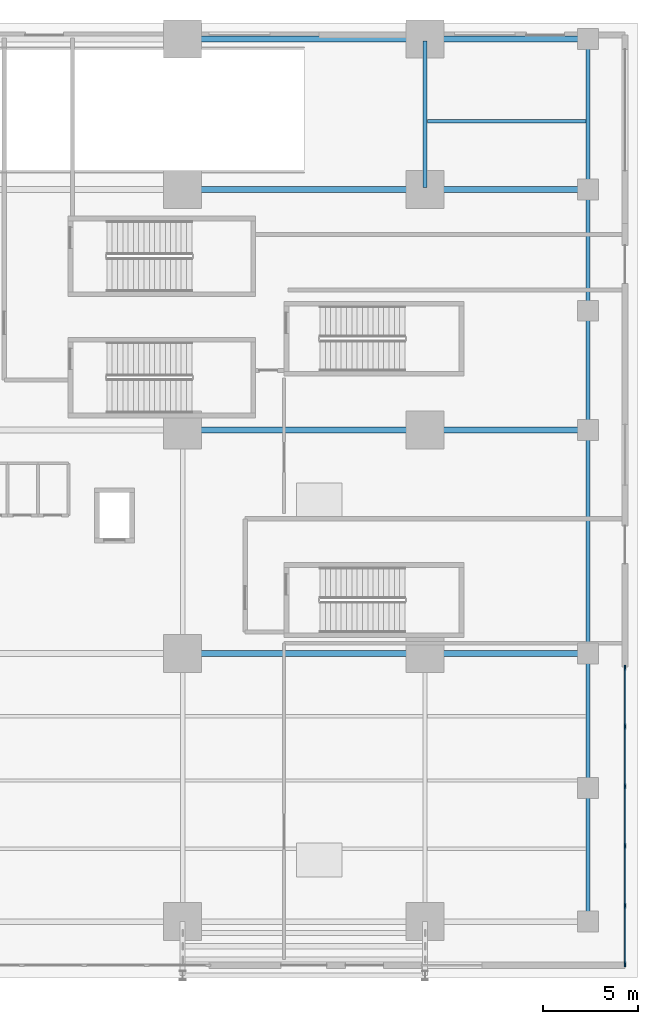
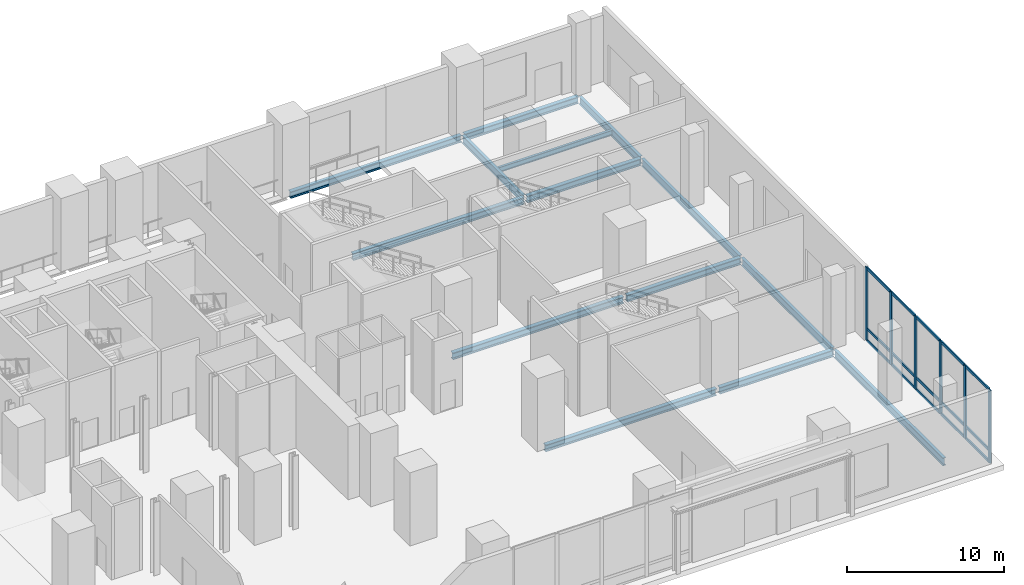
# One storey, part 8 of 25: 21 members, 14 beams, 1 element without a shape of its own.
"""IFC4 building model written with IfcOpenShell, lengths in metres."""

from ifc_helpers import new_model, si_unit, direction, frame, origin, origin_2d, place, context, subcontext, project, spatial, rectangle, i_section, extrude, source, transform, mapped, material, material_profile, profile_set, type_object, element, aggregate, save


model = new_model("IFC4")

# Units and contexts
model_context = context("Model", 3, precision=1e-05, world=origin(), true_north=direction((0.0, 1.0)))
body_context = subcontext(model_context, "Body", "Model", "MODEL_VIEW")
ifc_project = project(units=[si_unit("LENGTHUNIT", "METRE"), si_unit("AREAUNIT", "SQUARE_METRE"), si_unit("VOLUMEUNIT", "CUBIC_METRE"), si_unit("PLANEANGLEUNIT", "RADIAN"), si_unit("MASSUNIT", "GRAM", prefix="KILO")], contexts=[model_context])

# Site, building, storey
site_placement = place(None, origin())
site = spatial("IfcSite", under=ifc_project, at=site_placement, CompositionType="ELEMENT")
building_placement = place(site_placement, origin())
building = spatial("IfcBuilding", under=site, at=building_placement, Name="Vardaveli Station Tower", CompositionType="ELEMENT")
storey_placement = place(building_placement, origin())
storey = spatial("IfcBuildingStorey", under=building, at=storey_placement, Name="L01", CompositionType="ELEMENT", Elevation=0.0)

# Beams
ifc_material_1 = material(Name="Structural steel S355J2", Category="steel")
ifc_material_profile_1 = material_profile(ifc_material_1, i_section(OverallWidth=0.305908203125, OverallDepth=0.52392578125, WebThickness=0.02099609375, FlangeThickness=0.0400390625, FilletRadius=0.027099609375, at=origin_2d()), Name="HEM 500")
ifc_profile_set_1 = profile_set([ifc_material_profile_1], Name="Structural steel S355J2")
beam_type_1 = type_object("IfcBeamType", Name="BM-HEM500", PredefinedType="BEAM", material=ifc_profile_set_1)
shared_shape_1 = source(origin(), body_context, "Body", "SweptSolid", [
    extrude(i_section(OverallWidth=0.305908203125, OverallDepth=0.52392578125, WebThickness=0.02099609375, FlangeThickness=0.0400390625, FilletRadius=0.027099609375, at=origin_2d()), origin(), (0.0, 0.0, 1.0), 12.559814453125),
])
for number, where, z_axis, x_axis, name in (
    (1, (60.1201171875, 17.10009765625, -0.662109375), (1.0, 0.0, 0.0), (0.0, 1.0, 0.0), "PBM-L01-EW1-6"),
    (2, (60.1201171875, 28.89990234375, -0.662109375), (1.0, 0.0, 0.0), (0.0, 1.0, 0.0), "PBM-L01-EWE2-1"),
    (3, (60.1201171875, 41.60009765625, -0.662109375), (1.0, 0.0, 0.0), (0.0, 1.0, 0.0), "PBM-L01-EW3-7"),
    (4, (60.1201171875, 49.550048828125, -0.662109375), (1.0, 0.0, 0.0), (0.0, 1.0, 0.0), "PBM-L01-EW4-6"),
):
    element("IfcBeam", number, at=place(storey_placement, frame(where, z_axis=z_axis, x_axis=x_axis)), inside=storey, type_object=beam_type_1, Name=name, PredefinedType="BEAM", context=body_context, shape_type="MappedRepresentation", body=[
        mapped(shared_shape_1, transform((0.0, 0.0, 0.0), scale=1.0)),
    ])
ifc_material_profile_2 = material_profile(ifc_material_1, i_section(OverallWidth=0.219970703125, OverallDepth=0.60009765625, WebThickness=0.011962890625, FlangeThickness=0.01904296875, FilletRadius=0.02392578125, at=origin_2d()), Name="IPE 600")
ifc_profile_set_2 = profile_set([ifc_material_profile_2], Name="Structural steel S355J2")
beam_type_2 = type_object("IfcBeamType", Name="BM-IPE600", PredefinedType="BEAM", material=ifc_profile_set_2)
shared_shape_2 = source(origin(), body_context, "Body", "SweptSolid", [
    extrude(i_section(OverallWidth=0.219970703125, OverallDepth=0.60009765625, WebThickness=0.011962890625, FlangeThickness=0.01904296875, FilletRadius=0.02392578125, at=origin_2d()), origin(), (0.0, 0.0, 1.0), 13.909912109375),
])
beam_1_placement = place(storey_placement, frame((81.39990234375, 3.070068359375, -0.699951171875), z_axis=(0.0, 1.0, 0.0), x_axis=(-1.0, 0.0, 0.0)))
element("IfcBeam", 5, at=beam_1_placement, inside=storey, type_object=beam_type_2, Name="PBM-L01-NS5-0", PredefinedType="BEAM", context=body_context, shape_type="MappedRepresentation", body=[
    mapped(shared_shape_2, transform((0.0, 0.0, 0.0), scale=1.0)),
])
shared_shape_3 = source(origin(), body_context, "Body", "SweptSolid", [
    extrude(i_section(OverallWidth=0.219970703125, OverallDepth=0.60009765625, WebThickness=0.011962890625, FlangeThickness=0.01904296875, FilletRadius=0.02392578125, at=origin_2d()), origin(), (0.0, 0.0, 1.0), 11.56005859375),
])
beam_2_placement = place(storey_placement, frame((81.39990234375, 17.219970703125, -0.699951171875), z_axis=(0.0, 1.0, 0.0), x_axis=(-1.0, 0.0, 0.0)))
element("IfcBeam", 6, at=beam_2_placement, inside=storey, type_object=beam_type_2, Name="PBM-L01-NS5-1", PredefinedType="BEAM", context=body_context, shape_type="MappedRepresentation", body=[
    mapped(shared_shape_3, transform((0.0, 0.0, 0.0), scale=1.0)),
])
shared_shape_4 = source(origin(), body_context, "Body", "SweptSolid", [
    extrude(i_section(OverallWidth=0.219970703125, OverallDepth=0.60009765625, WebThickness=0.011962890625, FlangeThickness=0.01904296875, FilletRadius=0.02392578125, at=origin_2d()), origin(), (0.0, 0.0, 1.0), 12.4599609375),
])
beam_3_placement = place(storey_placement, frame((81.39990234375, 29.02001953125, -0.699951171875), z_axis=(0.0, 1.0, 0.0), x_axis=(-1.0, 0.0, 0.0)))
element("IfcBeam", 7, at=beam_3_placement, inside=storey, type_object=beam_type_2, Name="PBM-L01-NS5-2", PredefinedType="BEAM", context=body_context, shape_type="MappedRepresentation", body=[
    mapped(shared_shape_4, transform((0.0, 0.0, 0.0), scale=1.0)),
])
shared_shape_5 = source(origin(), body_context, "Body", "SweptSolid", [
    extrude(i_section(OverallWidth=0.219970703125, OverallDepth=0.60009765625, WebThickness=0.011962890625, FlangeThickness=0.01904296875, FilletRadius=0.02392578125, at=origin_2d()), origin(), (0.0, 0.0, 1.0), 7.7099609375),
])
for number, where, z_axis, x_axis, name in (
    (8, (72.800048828125, 41.719970703125, -0.699951171875), (0.0, 1.0, 0.0), (-1.0, 0.0, 0.0), "PBM-L01-NS4-3"),
    (9, (81.39990234375, 41.719970703125, -0.699951171875), (0.0, 1.0, 0.0), (-1.0, 0.0, 0.0), "PBM-L01-NS5-3"),
):
    element("IfcBeam", number, at=place(storey_placement, frame(where, z_axis=z_axis, x_axis=x_axis)), inside=storey, type_object=beam_type_2, Name=name, PredefinedType="BEAM", context=body_context, shape_type="MappedRepresentation", body=[
        mapped(shared_shape_5, transform((0.0, 0.0, 0.0), scale=1.0)),
    ])
shared_shape_6 = source(origin(), body_context, "Body", "SweptSolid", [
    extrude(i_section(OverallWidth=0.305908203125, OverallDepth=0.52392578125, WebThickness=0.02099609375, FlangeThickness=0.0400390625, FilletRadius=0.027099609375, at=origin_2d()), origin(), (0.0, 0.0, 1.0), 8.360107421875),
])
for number, where, z_axis, x_axis, name in (
    (10, (72.919921875, 17.10009765625, -0.662109375), (1.0, 0.0, 0.0), (0.0, 1.0, 0.0), "PBM-L01-EW1-7"),
    (11, (72.919921875, 28.89990234375, -0.662109375), (1.0, 0.0, 0.0), (0.0, 1.0, 0.0), "PBM-L01-EWE2-2"),
    (12, (72.919921875, 41.60009765625, -0.662109375), (1.0, 0.0, 0.0), (0.0, 1.0, 0.0), "PBM-L01-EW3-8"),
    (13, (72.919921875, 49.550048828125, -0.662109375), (1.0, 0.0, 0.0), (0.0, 1.0, 0.0), "PBM-L01-EW4-7"),
):
    element("IfcBeam", number, at=place(storey_placement, frame(where, z_axis=z_axis, x_axis=x_axis)), inside=storey, type_object=beam_type_1, Name=name, PredefinedType="BEAM", context=body_context, shape_type="MappedRepresentation", body=[
        mapped(shared_shape_6, transform((0.0, 0.0, 0.0), scale=1.0)),
    ])
ifc_material_profile_3 = material_profile(ifc_material_1, i_section(OverallWidth=0.179931640625, OverallDepth=0.39990234375, WebThickness=0.008544921875, FlangeThickness=0.013427734375, FilletRadius=0.02099609375, at=origin_2d()), Name="IPE 400")
ifc_profile_set_3 = profile_set([ifc_material_profile_3], Name="Structural steel S355J2")
beam_type_3 = type_object("IfcBeamType", Name="BM-IPE400", PredefinedType="JOIST", material=ifc_profile_set_3)
shared_shape_7 = source(origin(), body_context, "Body", "SweptSolid", [
    extrude(i_section(OverallWidth=0.179931640625, OverallDepth=0.39990234375, WebThickness=0.008544921875, FlangeThickness=0.013427734375, FilletRadius=0.02099609375, at=origin_2d()), origin(), (0.0, 0.0, 1.0), 8.3759765625),
])
beam_4_placement = place(storey_placement, frame((72.912109375, 45.199951171875, -0.60009765625), z_axis=(1.0, 0.0, 0.0), x_axis=(0.0, 1.0, 0.0)))
element("IfcBeam", 14, at=beam_4_placement, inside=storey, type_object=beam_type_3, Name="PJ-L01-4-4", PredefinedType="JOIST", context=body_context, shape_type="MappedRepresentation", body=[
    mapped(shared_shape_7, transform((0.0, 0.0, 0.0), scale=1.0)),
])

# Curtain wall, members
ifc_material_2 = material(Name="Travertine stone and solar-control glass", Category="masonry")
curtain_wall_type = type_object("IfcCurtainWallType", Name="CW-SYS-1", PredefinedType="NOTDEFINED", material=ifc_material_2)
curtain_wall_placement = place(storey_placement, origin())
curtain_wall = element("IfcCurtainWall", 15, at=curtain_wall_placement, inside=storey, type_object=curtain_wall_type, Name="CW-L01-E1", PredefinedType="NOTDEFINED")
ifc_material_3 = material(Name="Anodised aluminium alloy 6063-T6", Category="aluminium")
ifc_material_profile_4 = material_profile(ifc_material_3, rectangle(XDim=0.094970703125, YDim=0.27001953125, at=origin_2d()), Name="CWM 95x270")
ifc_profile_set_4 = profile_set([ifc_material_profile_4], Name="Anodised aluminium alloy 6063-T6")
member_type_1 = type_object("IfcMemberType", Name="CW-SYS-1-MULL", PredefinedType="MULLION", material=ifc_profile_set_4)
shared_shape_8 = source(origin(), body_context, "Body", "SweptSolid", [
    extrude(rectangle(XDim=0.094970703125, YDim=0.27001953125, at=origin_2d()), origin(), (0.0, 0.0, 1.0), 5.679931640625),
])
member_1_placement = place(storey_placement, frame((83.35009765625, 0.697509765625, 0.0), z_axis=(0.0, 0.0, 1.0), x_axis=(-1.0, 0.0, 0.0)))
member_1 = element("IfcMember", 16, at=member_1_placement, type_object=member_type_1, Name="CW-1 mullion 1", PredefinedType="MULLION", context=body_context, shape_type="MappedRepresentation", body=[
    mapped(shared_shape_8, transform((0.0, 0.0, 0.0), scale=1.0)),
])
member_2_placement = place(storey_placement, frame((83.35009765625, 3.800048828125, 0.0), z_axis=(0.0, 0.0, 1.0), x_axis=(-1.0, 0.0, 0.0)))
member_2 = element("IfcMember", 17, at=member_2_placement, type_object=member_type_1, Name="CW-1 mullion 2", PredefinedType="MULLION", context=body_context, shape_type="MappedRepresentation", body=[
    mapped(shared_shape_8, transform((0.0, 0.0, 0.0), scale=1.0)),
])
member_3_placement = place(storey_placement, frame((83.35009765625, 6.949951171875, 0.0), z_axis=(0.0, 0.0, 1.0), x_axis=(-1.0, 0.0, 0.0)))
member_3 = element("IfcMember", 18, at=member_3_placement, type_object=member_type_1, Name="CW-1 mullion 3", PredefinedType="MULLION", context=body_context, shape_type="MappedRepresentation", body=[
    mapped(shared_shape_8, transform((0.0, 0.0, 0.0), scale=1.0)),
])
member_4_placement = place(storey_placement, frame((83.35009765625, 10.10009765625, 0.0), z_axis=(0.0, 0.0, 1.0), x_axis=(-1.0, 0.0, 0.0)))
member_4 = element("IfcMember", 19, at=member_4_placement, type_object=member_type_1, Name="CW-1 mullion 4", PredefinedType="MULLION", context=body_context, shape_type="MappedRepresentation", body=[
    mapped(shared_shape_8, transform((0.0, 0.0, 0.0), scale=1.0)),
])
member_5_placement = place(storey_placement, frame((83.35009765625, 13.25, 0.0), z_axis=(0.0, 0.0, 1.0), x_axis=(-1.0, 0.0, 0.0)))
member_5 = element("IfcMember", 20, at=member_5_placement, type_object=member_type_1, Name="CW-1 mullion 5", PredefinedType="MULLION", context=body_context, shape_type="MappedRepresentation", body=[
    mapped(shared_shape_8, transform((0.0, 0.0, 0.0), scale=1.0)),
])
member_6_placement = place(storey_placement, frame((83.35009765625, 16.3525390625, 0.0), z_axis=(0.0, 0.0, 1.0), x_axis=(-1.0, 0.0, 0.0)))
member_6 = element("IfcMember", 21, at=member_6_placement, type_object=member_type_1, Name="CW-1 mullion 6", PredefinedType="MULLION", context=body_context, shape_type="MappedRepresentation", body=[
    mapped(shared_shape_8, transform((0.0, 0.0, 0.0), scale=1.0)),
])
ifc_material_profile_5 = material_profile(ifc_material_3, rectangle(XDim=0.094970703125, YDim=0.2099609375, at=origin_2d()), Name="CWT 95x210")
ifc_profile_set_5 = profile_set([ifc_material_profile_5], Name="Anodised aluminium alloy 6063-T6")
member_type_2 = type_object("IfcMemberType", Name="CW-SYS-1-TRAN", PredefinedType="NOTDEFINED", material=ifc_profile_set_5)
shared_shape_9 = source(origin(), body_context, "Body", "SweptSolid", [
    extrude(rectangle(XDim=0.094970703125, YDim=0.2099609375, at=origin_2d()), origin(), (0.0, 0.0, 1.0), 3.00732421875),
])
member_7_placement = place(storey_placement, frame((83.35009765625, 0.7451171875, 0.047607421875), z_axis=(0.0, 1.0, 0.0), x_axis=(-1.0, 0.0, 0.0)))
member_7 = element("IfcMember", 22, at=member_7_placement, type_object=member_type_2, Name="CW-1 transom 1.1", ObjectType="TRANSOM", PredefinedType="USERDEFINED", context=body_context, shape_type="MappedRepresentation", body=[
    mapped(shared_shape_9, transform((0.0, 0.0, 0.0), scale=1.0)),
])
member_8_placement = place(storey_placement, frame((83.35009765625, 0.7451171875, 0.949951171875), z_axis=(0.0, 1.0, 0.0), x_axis=(-1.0, 0.0, 0.0)))
member_8 = element("IfcMember", 23, at=member_8_placement, type_object=member_type_2, Name="CW-1 transom 1.2", ObjectType="TRANSOM", PredefinedType="USERDEFINED", context=body_context, shape_type="MappedRepresentation", body=[
    mapped(shared_shape_9, transform((0.0, 0.0, 0.0), scale=1.0)),
])
member_9_placement = place(storey_placement, frame((83.35009765625, 0.7451171875, 5.632568359375), z_axis=(0.0, 1.0, 0.0), x_axis=(-1.0, 0.0, 0.0)))
member_9 = element("IfcMember", 24, at=member_9_placement, type_object=member_type_2, Name="CW-1 transom 1.3", ObjectType="TRANSOM", PredefinedType="USERDEFINED", context=body_context, shape_type="MappedRepresentation", body=[
    mapped(shared_shape_9, transform((0.0, 0.0, 0.0), scale=1.0)),
])
member_10_placement = place(storey_placement, frame((83.35009765625, 13.297607421875, 0.047607421875), z_axis=(0.0, 1.0, 0.0), x_axis=(-1.0, 0.0, 0.0)))
member_10 = element("IfcMember", 25, at=member_10_placement, type_object=member_type_2, Name="CW-1 transom 5.1", ObjectType="TRANSOM", PredefinedType="USERDEFINED", context=body_context, shape_type="MappedRepresentation", body=[
    mapped(shared_shape_9, transform((0.0, 0.0, 0.0), scale=1.0)),
])
member_11_placement = place(storey_placement, frame((83.35009765625, 13.297607421875, 0.949951171875), z_axis=(0.0, 1.0, 0.0), x_axis=(-1.0, 0.0, 0.0)))
member_11 = element("IfcMember", 26, at=member_11_placement, type_object=member_type_2, Name="CW-1 transom 5.2", ObjectType="TRANSOM", PredefinedType="USERDEFINED", context=body_context, shape_type="MappedRepresentation", body=[
    mapped(shared_shape_9, transform((0.0, 0.0, 0.0), scale=1.0)),
])
member_12_placement = place(storey_placement, frame((83.35009765625, 13.297607421875, 5.632568359375), z_axis=(0.0, 1.0, 0.0), x_axis=(-1.0, 0.0, 0.0)))
member_12 = element("IfcMember", 27, at=member_12_placement, type_object=member_type_2, Name="CW-1 transom 5.3", ObjectType="TRANSOM", PredefinedType="USERDEFINED", context=body_context, shape_type="MappedRepresentation", body=[
    mapped(shared_shape_9, transform((0.0, 0.0, 0.0), scale=1.0)),
])
shared_shape_10 = source(origin(), body_context, "Body", "SweptSolid", [
    extrude(rectangle(XDim=0.094970703125, YDim=0.2099609375, at=origin_2d()), origin(), (0.0, 0.0, 1.0), 3.05517578125),
])
member_13_placement = place(storey_placement, frame((83.35009765625, 3.847412109375, 0.047607421875), z_axis=(0.0, 1.0, 0.0), x_axis=(-1.0, 0.0, 0.0)))
member_13 = element("IfcMember", 28, at=member_13_placement, type_object=member_type_2, Name="CW-1 transom 2.1", ObjectType="TRANSOM", PredefinedType="USERDEFINED", context=body_context, shape_type="MappedRepresentation", body=[
    mapped(shared_shape_10, transform((0.0, 0.0, 0.0), scale=1.0)),
])
member_14_placement = place(storey_placement, frame((83.35009765625, 3.847412109375, 0.949951171875), z_axis=(0.0, 1.0, 0.0), x_axis=(-1.0, 0.0, 0.0)))
member_14 = element("IfcMember", 29, at=member_14_placement, type_object=member_type_2, Name="CW-1 transom 2.2", ObjectType="TRANSOM", PredefinedType="USERDEFINED", context=body_context, shape_type="MappedRepresentation", body=[
    mapped(shared_shape_10, transform((0.0, 0.0, 0.0), scale=1.0)),
])
member_15_placement = place(storey_placement, frame((83.35009765625, 3.847412109375, 5.632568359375), z_axis=(0.0, 1.0, 0.0), x_axis=(-1.0, 0.0, 0.0)))
member_15 = element("IfcMember", 30, at=member_15_placement, type_object=member_type_2, Name="CW-1 transom 2.3", ObjectType="TRANSOM", PredefinedType="USERDEFINED", context=body_context, shape_type="MappedRepresentation", body=[
    mapped(shared_shape_10, transform((0.0, 0.0, 0.0), scale=1.0)),
])
shared_shape_11 = source(origin(), body_context, "Body", "SweptSolid", [
    extrude(rectangle(XDim=0.094970703125, YDim=0.2099609375, at=origin_2d()), origin(), (0.0, 0.0, 1.0), 3.054931640625),
])
member_16_placement = place(storey_placement, frame((83.35009765625, 6.99755859375, 0.047607421875), z_axis=(0.0, 1.0, 0.0), x_axis=(-1.0, 0.0, 0.0)))
member_16 = element("IfcMember", 31, at=member_16_placement, type_object=member_type_2, Name="CW-1 transom 3.1", ObjectType="TRANSOM", PredefinedType="USERDEFINED", context=body_context, shape_type="MappedRepresentation", body=[
    mapped(shared_shape_11, transform((0.0, 0.0, 0.0), scale=1.0)),
])
member_17_placement = place(storey_placement, frame((83.35009765625, 6.99755859375, 0.949951171875), z_axis=(0.0, 1.0, 0.0), x_axis=(-1.0, 0.0, 0.0)))
member_17 = element("IfcMember", 32, at=member_17_placement, type_object=member_type_2, Name="CW-1 transom 3.2", ObjectType="TRANSOM", PredefinedType="USERDEFINED", context=body_context, shape_type="MappedRepresentation", body=[
    mapped(shared_shape_11, transform((0.0, 0.0, 0.0), scale=1.0)),
])
member_18_placement = place(storey_placement, frame((83.35009765625, 6.99755859375, 5.632568359375), z_axis=(0.0, 1.0, 0.0), x_axis=(-1.0, 0.0, 0.0)))
member_18 = element("IfcMember", 33, at=member_18_placement, type_object=member_type_2, Name="CW-1 transom 3.3", ObjectType="TRANSOM", PredefinedType="USERDEFINED", context=body_context, shape_type="MappedRepresentation", body=[
    mapped(shared_shape_11, transform((0.0, 0.0, 0.0), scale=1.0)),
])
member_19_placement = place(storey_placement, frame((83.35009765625, 10.1474609375, 0.047607421875), z_axis=(0.0, 1.0, 0.0), x_axis=(-1.0, 0.0, 0.0)))
member_19 = element("IfcMember", 34, at=member_19_placement, type_object=member_type_2, Name="CW-1 transom 4.1", ObjectType="TRANSOM", PredefinedType="USERDEFINED", context=body_context, shape_type="MappedRepresentation", body=[
    mapped(shared_shape_11, transform((0.0, 0.0, 0.0), scale=1.0)),
])
member_20_placement = place(storey_placement, frame((83.35009765625, 10.1474609375, 0.949951171875), z_axis=(0.0, 1.0, 0.0), x_axis=(-1.0, 0.0, 0.0)))
member_20 = element("IfcMember", 35, at=member_20_placement, type_object=member_type_2, Name="CW-1 transom 4.2", ObjectType="TRANSOM", PredefinedType="USERDEFINED", context=body_context, shape_type="MappedRepresentation", body=[
    mapped(shared_shape_11, transform((0.0, 0.0, 0.0), scale=1.0)),
])
member_21_placement = place(storey_placement, frame((83.35009765625, 10.1474609375, 5.632568359375), z_axis=(0.0, 1.0, 0.0), x_axis=(-1.0, 0.0, 0.0)))
member_21 = element("IfcMember", 36, at=member_21_placement, type_object=member_type_2, Name="CW-1 transom 4.3", ObjectType="TRANSOM", PredefinedType="USERDEFINED", context=body_context, shape_type="MappedRepresentation", body=[
    mapped(shared_shape_11, transform((0.0, 0.0, 0.0), scale=1.0)),
])
aggregate(curtain_wall, [member_1, member_2, member_3, member_4, member_5, member_6, member_7, member_8, member_9, member_13, member_14, member_15, member_16, member_17, member_18, member_19, member_20, member_21, member_10, member_11, member_12])

save(model, "model.ifc")
